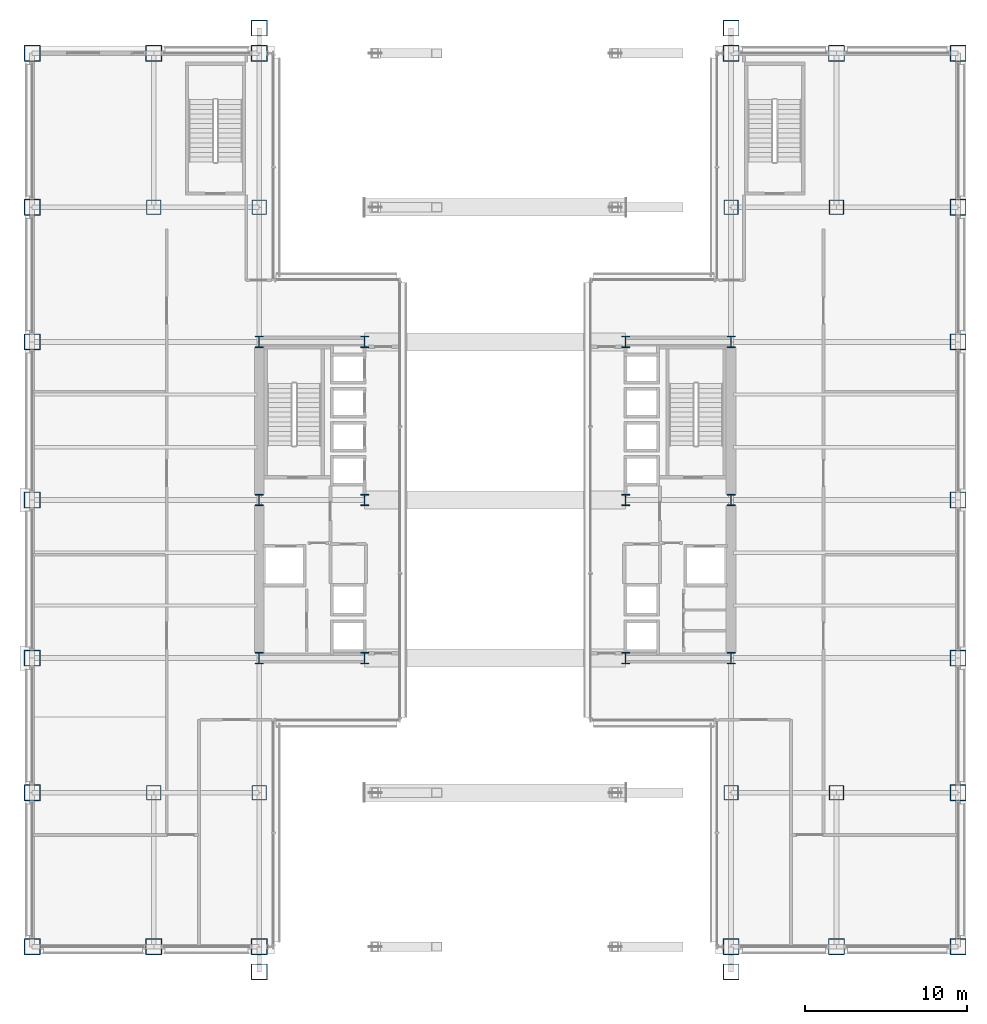
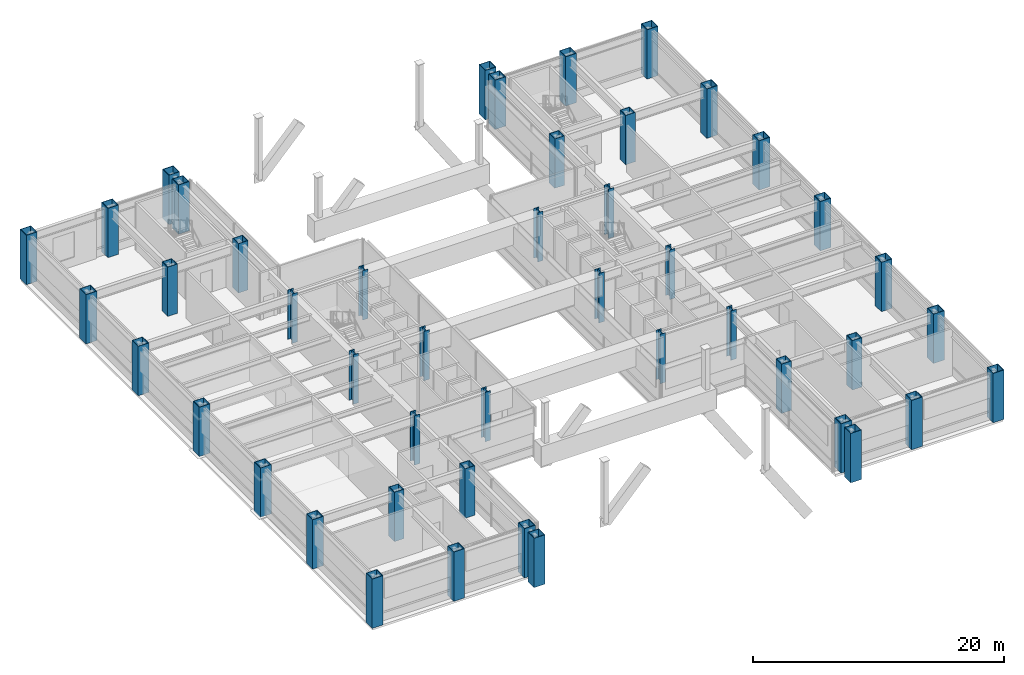
# One storey, part 1 of 42: 46 columns.
"""IFC4 building model written with IfcOpenShell, lengths in metres."""

from ifc_helpers import new_model, si_unit, direction, frame, origin, origin_2d, place, context, subcontext, project, spatial, hollow_rectangle, i_section, extrude, material, material_profile, profile_set, type_object, element, save


model = new_model("IFC4")

# Units and contexts
model_context = context("Model", 3, precision=1e-05, world=origin(), true_north=direction((0.0, 1.0)))
body_context = subcontext(model_context, "Body", "Model", "MODEL_VIEW")
ifc_project = project(units=[si_unit("LENGTHUNIT", "METRE"), si_unit("AREAUNIT", "SQUARE_METRE"), si_unit("VOLUMEUNIT", "CUBIC_METRE"), si_unit("PLANEANGLEUNIT", "RADIAN"), si_unit("MASSUNIT", "GRAM", prefix="KILO")], contexts=[model_context])

# Site, building, storey
site_placement = place(None, origin())
site = spatial("IfcSite", under=ifc_project, at=site_placement, CompositionType="ELEMENT")
building_placement = place(site_placement, origin())
building = spatial("IfcBuilding", under=site, at=building_placement, Name="Brelmoor Portico Tower", CompositionType="ELEMENT")
storey_placement = place(building_placement, frame((0.0, 0.0, 9.60009765625)))
storey = spatial("IfcBuildingStorey", under=building, at=storey_placement, Name="L02", CompositionType="ELEMENT", Elevation=9.60009765625)

# Columns
ifc_material_1 = material(Name="Steel Q420B", Category="steel")
ifc_material_profile_1 = material_profile(ifc_material_1, hollow_rectangle(XDim=1.0, YDim=1.0, WallThickness=0.050048828125, at=origin_2d()), Name="BOX 1000x1000x50")
ifc_profile_set_1 = profile_set([ifc_material_profile_1], Name="Steel Q420B")
column_type_1 = type_object("IfcColumnType", Name="COL-MEGA-1000", PredefinedType="COLUMN", material=ifc_profile_set_1)
for number, where, z_axis, x_axis, name in (
    (1, (-28.550048828125, -27.550048828125, 0.0), (0.0, 0.0, 1.0), (1.0, 0.0, 0.0), "L02 Perimeter Mega-Column PS01"),
    (2, (-21.050048828125, -27.550048828125, 0.0), (0.0, 0.0, 1.0), (1.0, 0.0, 0.0), "L02 Perimeter Mega-Column PS02"),
    (3, (-14.550048828125, -27.550048828125, 0.0), (0.0, 0.0, 1.0), (1.0, 0.0, 0.0), "L02 Perimeter Mega-Column PS03"),
    (4, (14.550048828125, -27.550048828125, 0.0), (0.0, 0.0, 1.0), (1.0, 0.0, 0.0), "L02 Perimeter Mega-Column PS04"),
    (5, (21.050048828125, -27.550048828125, 0.0), (0.0, 0.0, 1.0), (1.0, 0.0, 0.0), "L02 Perimeter Mega-Column PS05"),
    (6, (28.550048828125, -27.550048828125, 0.0), (0.0, 0.0, 1.0), (1.0, 0.0, 0.0), "L02 Perimeter Mega-Column PS06"),
    (7, (-28.550048828125, 27.550048828125, 0.0), (0.0, 0.0, 1.0), (1.0, 0.0, 0.0), "L02 Perimeter Mega-Column PN07"),
    (8, (-21.050048828125, 27.550048828125, 0.0), (0.0, 0.0, 1.0), (1.0, 0.0, 0.0), "L02 Perimeter Mega-Column PN08"),
    (9, (-14.550048828125, 27.550048828125, 0.0), (0.0, 0.0, 1.0), (1.0, 0.0, 0.0), "L02 Perimeter Mega-Column PN09"),
    (10, (14.550048828125, 27.550048828125, 0.0), (0.0, 0.0, 1.0), (1.0, 0.0, 0.0), "L02 Perimeter Mega-Column PN10"),
    (11, (21.050048828125, 27.550048828125, 0.0), (0.0, 0.0, 1.0), (1.0, 0.0, 0.0), "L02 Perimeter Mega-Column PN11"),
    (12, (28.550048828125, 27.550048828125, 0.0), (0.0, 0.0, 1.0), (1.0, 0.0, 0.0), "L02 Perimeter Mega-Column PN12"),
    (13, (-28.550048828125, -18.050048828125, 0.0), (0.0, 0.0, 1.0), (0.0, 1.0, 0.0), "L02 Perimeter Mega-Column PW13"),
    (14, (28.550048828125, -18.050048828125, 0.0), (0.0, 0.0, 1.0), (0.0, 1.0, 0.0), "L02 Perimeter Mega-Column PE14"),
    (15, (-28.550048828125, -9.75, 0.0), (0.0, 0.0, 1.0), (0.0, 1.0, 0.0), "L02 Perimeter Mega-Column PW15"),
    (16, (28.550048828125, -9.75, 0.0), (0.0, 0.0, 1.0), (0.0, 1.0, 0.0), "L02 Perimeter Mega-Column PE16"),
    (17, (-28.550048828125, 0.0, 0.0), (0.0, 0.0, 1.0), (0.0, 1.0, 0.0), "L02 Perimeter Mega-Column PW17"),
    (18, (28.550048828125, 0.0, 0.0), (0.0, 0.0, 1.0), (0.0, 1.0, 0.0), "L02 Perimeter Mega-Column PE18"),
    (19, (-28.550048828125, 9.75, 0.0), (0.0, 0.0, 1.0), (0.0, 1.0, 0.0), "L02 Perimeter Mega-Column PW19"),
    (20, (28.550048828125, 9.75, 0.0), (0.0, 0.0, 1.0), (0.0, 1.0, 0.0), "L02 Perimeter Mega-Column PE20"),
    (21, (-28.550048828125, 18.050048828125, 0.0), (0.0, 0.0, 1.0), (0.0, 1.0, 0.0), "L02 Perimeter Mega-Column PW21"),
    (22, (28.550048828125, 18.050048828125, 0.0), (0.0, 0.0, 1.0), (0.0, 1.0, 0.0), "L02 Perimeter Mega-Column PE22"),
    (23, (-14.550048828125, -29.10009765625, 0.0), (0.0, 0.0, 1.0), (1.0, 0.0, 0.0), "L02 Giant Arch Entrance Portal Pier EP-SW"),
    (24, (14.550048828125, -29.10009765625, 0.0), (0.0, 0.0, 1.0), (1.0, 0.0, 0.0), "L02 Giant Arch Entrance Portal Pier EP-SE"),
    (25, (-14.550048828125, 29.10009765625, 0.0), (0.0, 0.0, 1.0), (1.0, 0.0, 0.0), "L02 Giant Arch Entrance Portal Pier EP-NW"),
    (26, (14.550048828125, 29.10009765625, 0.0), (0.0, 0.0, 1.0), (1.0, 0.0, 0.0), "L02 Giant Arch Entrance Portal Pier EP-NE"),
):
    element("IfcColumn", number, at=place(storey_placement, frame(where, z_axis=z_axis, x_axis=x_axis)), inside=storey, type_object=column_type_1, Name=name, PredefinedType="COLUMN", context=body_context, shape_type="SweptSolid", body=[
        extrude(hollow_rectangle(XDim=1.0, YDim=1.0, WallThickness=0.050048828125, at=origin_2d()), origin(), (0.0, 0.0, 1.0), 4.7998046875),
    ])
ifc_material_2 = material(Name="Steel Q355B", Category="steel")
ifc_material_profile_2 = material_profile(ifc_material_2, hollow_rectangle(XDim=0.89990234375, YDim=0.89990234375, WallThickness=0.044921875, at=origin_2d()), Name="BOX 900x900x45")
ifc_profile_set_2 = profile_set([ifc_material_profile_2], Name="Steel Q355B")
column_type_2 = type_object("IfcColumnType", Name="COL-MEGA-900", PredefinedType="COLUMN", material=ifc_profile_set_2)
for number, where, z_axis, x_axis, name in (
    (27, (-21.050048828125, -18.050048828125, 0.0), (0.0, 0.0, 1.0), (1.0, 0.0, 0.0), "L02 Podium Pier Column PP-SW1"),
    (28, (-14.550048828125, -18.050048828125, 0.0), (0.0, 0.0, 1.0), (1.0, 0.0, 0.0), "L02 Podium Pier Column PP-SW2"),
    (29, (-21.050048828125, 18.050048828125, 0.0), (0.0, 0.0, 1.0), (1.0, 0.0, 0.0), "L02 Podium Pier Column PP-NW1"),
    (30, (-14.550048828125, 18.050048828125, 0.0), (0.0, 0.0, 1.0), (1.0, 0.0, 0.0), "L02 Podium Pier Column PP-NW2"),
    (31, (14.550048828125, -18.050048828125, 0.0), (0.0, 0.0, 1.0), (1.0, 0.0, 0.0), "L02 Podium Pier Column PP-SE1"),
    (32, (21.050048828125, -18.050048828125, 0.0), (0.0, 0.0, 1.0), (1.0, 0.0, 0.0), "L02 Podium Pier Column PP-SE2"),
    (33, (14.550048828125, 18.050048828125, 0.0), (0.0, 0.0, 1.0), (1.0, 0.0, 0.0), "L02 Podium Pier Column PP-NE1"),
    (34, (21.050048828125, 18.050048828125, 0.0), (0.0, 0.0, 1.0), (1.0, 0.0, 0.0), "L02 Podium Pier Column PP-NE2"),
):
    element("IfcColumn", number, at=place(storey_placement, frame(where, z_axis=z_axis, x_axis=x_axis)), inside=storey, type_object=column_type_2, Name=name, PredefinedType="COLUMN", context=body_context, shape_type="SweptSolid", body=[
        extrude(hollow_rectangle(XDim=0.89990234375, YDim=0.89990234375, WallThickness=0.044921875, at=origin_2d()), origin(), (0.0, 0.0, 1.0), 4.7998046875),
    ])
ifc_material_profile_3 = material_profile(ifc_material_1, i_section(OverallWidth=0.5, OverallDepth=0.699951171875, WebThickness=0.028076171875, FlangeThickness=0.044921875, at=origin_2d()), Name="HW 700x500x28x45")
ifc_profile_set_3 = profile_set([ifc_material_profile_3], Name="Steel Q420B")
column_type_3 = type_object("IfcColumnType", Name="COL-SPINE-700", PredefinedType="COLUMN", material=ifc_profile_set_3)
for number, where, z_axis, x_axis, name in (
    (35, (-14.550048828125, -9.75, 0.0), (0.0, 0.0, 1.0), (1.0, 0.0, 0.0), "L02 Core Spine Column CW-SW"),
    (36, (-14.550048828125, 0.0, 0.0), (0.0, 0.0, 1.0), (1.0, 0.0, 0.0), "L02 Core Spine Column CW-MW"),
    (37, (-14.550048828125, 9.75, 0.0), (0.0, 0.0, 1.0), (1.0, 0.0, 0.0), "L02 Core Spine Column CW-NW"),
    (38, (-8.050048828125, -9.75, 0.0), (0.0, 0.0, 1.0), (1.0, 0.0, 0.0), "L02 Core Spine Column CW-SE"),
    (39, (-8.050048828125, 0.0, 0.0), (0.0, 0.0, 1.0), (1.0, 0.0, 0.0), "L02 Core Spine Column CW-ME"),
    (40, (-8.050048828125, 9.75, 0.0), (0.0, 0.0, 1.0), (1.0, 0.0, 0.0), "L02 Core Spine Column CW-NE"),
    (41, (8.050048828125, -9.75, 0.0), (0.0, 0.0, 1.0), (1.0, 0.0, 0.0), "L02 Core Spine Column CE-SW"),
    (42, (8.050048828125, 0.0, 0.0), (0.0, 0.0, 1.0), (1.0, 0.0, 0.0), "L02 Core Spine Column CE-MW"),
    (43, (8.050048828125, 9.75, 0.0), (0.0, 0.0, 1.0), (1.0, 0.0, 0.0), "L02 Core Spine Column CE-NW"),
    (44, (14.550048828125, -9.75, 0.0), (0.0, 0.0, 1.0), (1.0, 0.0, 0.0), "L02 Core Spine Column CE-SE"),
    (45, (14.550048828125, 0.0, 0.0), (0.0, 0.0, 1.0), (1.0, 0.0, 0.0), "L02 Core Spine Column CE-ME"),
    (46, (14.550048828125, 9.75, 0.0), (0.0, 0.0, 1.0), (1.0, 0.0, 0.0), "L02 Core Spine Column CE-NE"),
):
    element("IfcColumn", number, at=place(storey_placement, frame(where, z_axis=z_axis, x_axis=x_axis)), inside=storey, type_object=column_type_3, Name=name, PredefinedType="COLUMN", context=body_context, shape_type="SweptSolid", body=[
        extrude(i_section(OverallWidth=0.5, OverallDepth=0.699951171875, WebThickness=0.028076171875, FlangeThickness=0.044921875, at=origin_2d()), origin(), (0.0, 0.0, 1.0), 4.7998046875),
    ])

save(model, "model.ifc")
